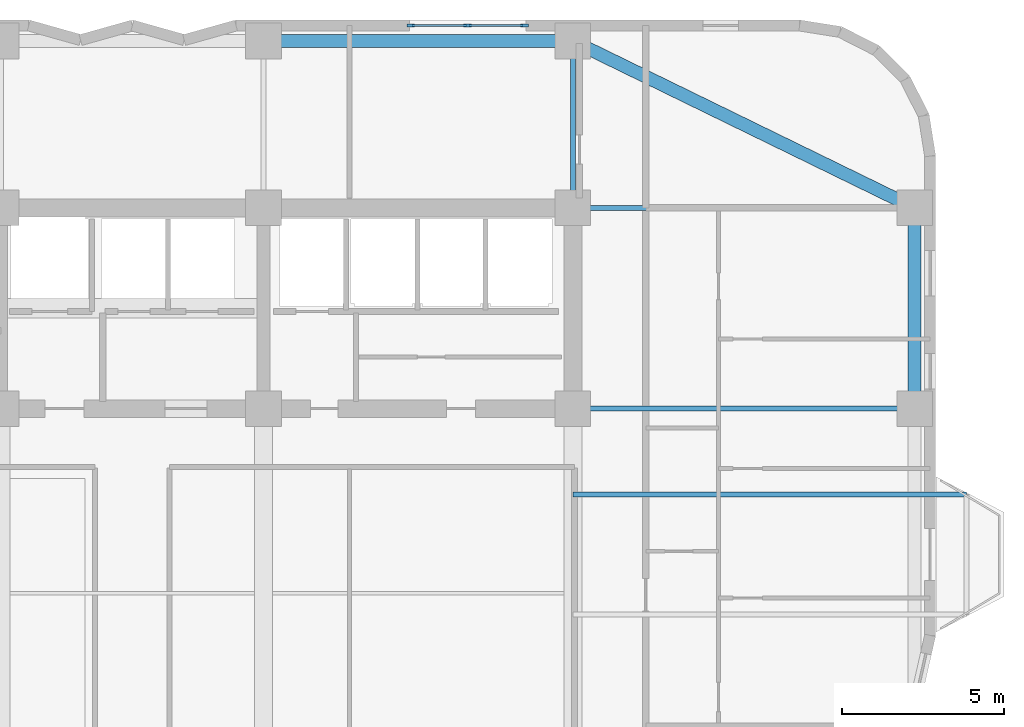
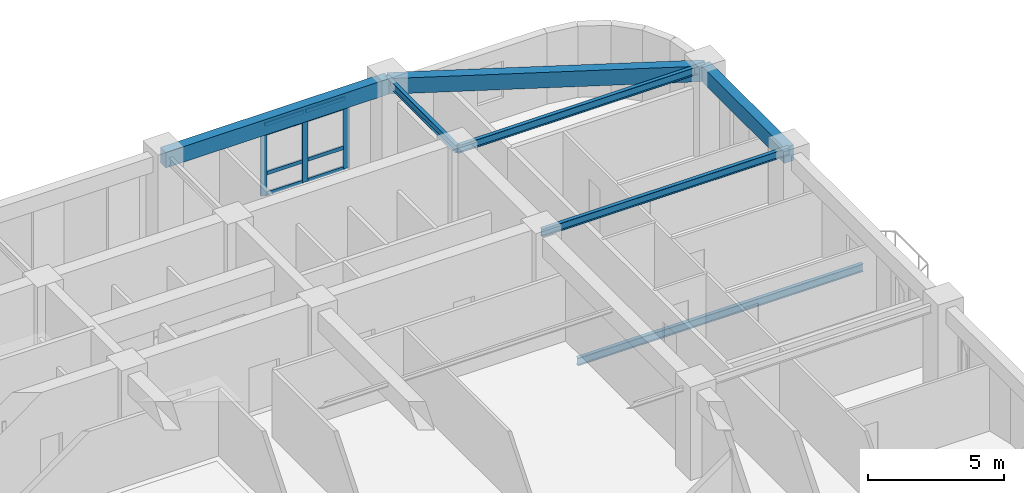
# One storey, part 5 of 15: 11 members, 7 beams, 1 element without a shape of its own.
"""IFC4 building model written with IfcOpenShell, lengths in metres."""

from ifc_helpers import new_model, si_unit, direction, frame, origin, origin_2d, place, context, subcontext, project, spatial, rectangle, i_section, extrude, material, material_profile, profile_set, type_object, element, aggregate, save


model = new_model("IFC4")

# Units and contexts
model_context = context("Model", 3, precision=1e-05, world=origin(), true_north=direction((0.0, 1.0)))
body_context = subcontext(model_context, "Body", "Model", "MODEL_VIEW")
ifc_project = project(units=[si_unit("LENGTHUNIT", "METRE"), si_unit("AREAUNIT", "SQUARE_METRE"), si_unit("VOLUMEUNIT", "CUBIC_METRE"), si_unit("PLANEANGLEUNIT", "RADIAN"), si_unit("MASSUNIT", "GRAM", prefix="KILO")], contexts=[model_context])

# Site, building, storey
site_placement = place(None, origin())
site = spatial("IfcSite", under=ifc_project, at=site_placement, CompositionType="ELEMENT")
building_placement = place(site_placement, origin())
building = spatial("IfcBuilding", under=site, at=building_placement, Name="Svetorya Sky Lyceum", CompositionType="ELEMENT")
storey_placement = place(building_placement, frame((0.0, 0.0, 84.10009765625)))
storey = spatial("IfcBuildingStorey", under=building, at=storey_placement, Name="L20", CompositionType="ELEMENT", Elevation=84.10009765625)

# Beams
ifc_material_1 = material(Name="Concrete C50/60", Category="concrete")
ifc_material_profile_1 = material_profile(ifc_material_1, rectangle(XDim=0.39990234375, YDim=0.699951171875, at=origin_2d()), Name="RC SPANDREL 400x700")
ifc_profile_set_1 = profile_set([ifc_material_profile_1], Name="Concrete C50/60")
beam_type_1 = type_object("IfcBeamType", Name="BM-SPN-700", PredefinedType="SPANDREL", material=ifc_profile_set_1)
beam_1_placement = place(storey_placement, frame((43.25, 50.949951171875, 3.56982421875), z_axis=(1.0, 0.0, 0.0), x_axis=(0.0, 1.0, 0.0)))
element("IfcBeam", 1, at=beam_1_placement, inside=storey, type_object=beam_type_1, Name="L20 North Spandrel 3", PredefinedType="SPANDREL", context=body_context, shape_type="SweptSolid", body=[
    extrude(rectangle(XDim=0.39990234375, YDim=0.699951171875, at=origin_2d()), origin(), (0.0, 0.0, 1.0), 9.550048828125),
])
beam_2_placement = place(storey_placement, frame((63.35009765625, 45.800048828125, 3.56982421875), z_axis=(-0.898649693653, 0.438666989978, 0.0), x_axis=(-0.438666989978, -0.898649693653, 0.0)))
element("IfcBeam", 2, at=beam_2_placement, inside=storey, type_object=beam_type_1, Name="L20 Corner Spandrel 3", PredefinedType="SPANDREL", context=body_context, shape_type="SweptSolid", body=[
    extrude(rectangle(XDim=0.39990234375, YDim=0.699951171875, at=origin_2d()), origin(), (0.0, 0.0, 1.0), 11.739990234375),
])
beam_3_placement = place(storey_placement, frame((63.35009765625, 39.60009765625, 3.56982421875), z_axis=(0.0, 1.0, 0.0), x_axis=(-1.0, 0.0, 0.0)))
element("IfcBeam", 3, at=beam_3_placement, inside=storey, type_object=beam_type_1, Name="L20 East Spandrel 4", PredefinedType="SPANDREL", context=body_context, shape_type="SweptSolid", body=[
    extrude(rectangle(XDim=0.39990234375, YDim=0.699951171875, at=origin_2d()), origin(), (0.0, 0.0, 1.0), 6.199951171875),
])
ifc_material_2 = material(Name="Steel S355", Category="steel")
ifc_material_profile_2 = material_profile(ifc_material_2, i_section(OverallWidth=0.155029296875, OverallDepth=0.34912109375, WebThickness=0.007080078125, FlangeThickness=0.011474609375, at=origin_2d()), Name="GOST 35B2")
ifc_profile_set_2 = profile_set([ifc_material_profile_2], Name="Steel S355")
beam_type_2 = type_object("IfcBeamType", Name="BM-STL-35B2", PredefinedType="JOIST", material=ifc_profile_set_2)
beam_4_placement = place(storey_placement, frame((52.800048828125, 36.949951171875, -0.45458984375), z_axis=(1.0, 0.0, 0.0), x_axis=(0.0, 1.0, 0.0)))
element("IfcBeam", 4, at=beam_4_placement, inside=storey, type_object=beam_type_2, Name="L20 Balcony Cantilever Beam BAL-E1-2", PredefinedType="JOIST", context=body_context, shape_type="SweptSolid", body=[
    extrude(i_section(OverallWidth=0.155029296875, OverallDepth=0.34912109375, WebThickness=0.007080078125, FlangeThickness=0.011474609375, at=origin_2d()), origin(), (0.0, 0.0, 1.0), 12.14990234375),
])
for number, where, z_axis, x_axis, name in (
    (5, (52.800048828125, 39.60009765625, 3.745361328125), (1.0, 0.0, 0.0), (0.0, 1.0, 0.0), "L20 East Wing Floor Joist E4"),
    (6, (52.800048828125, 45.800048828125, 3.745361328125), (1.0, 0.0, 0.0), (0.0, 1.0, 0.0), "L20 East Wing Floor Joist E5"),
):
    element("IfcBeam", number, at=place(storey_placement, frame(where, z_axis=z_axis, x_axis=x_axis)), inside=storey, type_object=beam_type_2, Name=name, PredefinedType="JOIST", context=body_context, shape_type="SweptSolid", body=[
        extrude(i_section(OverallWidth=0.155029296875, OverallDepth=0.34912109375, WebThickness=0.007080078125, FlangeThickness=0.011474609375, at=origin_2d()), origin(), (0.0, 0.0, 1.0), 10.550048828125),
    ])
beam_5_placement = place(storey_placement, frame((52.800048828125, 45.800048828125, 3.745361328125), z_axis=(0.0, 1.0, 0.0), x_axis=(-1.0, 0.0, 0.0)))
element("IfcBeam", 7, at=beam_5_placement, inside=storey, type_object=beam_type_2, Name="L20 North Bay Floor Girder N4", PredefinedType="JOIST", context=body_context, shape_type="SweptSolid", body=[
    extrude(i_section(OverallWidth=0.155029296875, OverallDepth=0.34912109375, WebThickness=0.007080078125, FlangeThickness=0.011474609375, at=origin_2d()), origin(), (0.0, 0.0, 1.0), 5.14990234375),
])

# Curtain wall, members
ifc_material_3 = material(Name="Thermally broken anodized aluminium and triple low-E glass", Category="aluminium")
curtain_wall_type = type_object("IfcCurtainWallType", Name="CW4-SKY-GALL", PredefinedType="NOTDEFINED", material=ifc_material_3)
curtain_wall_placement = place(storey_placement, origin())
curtain_wall = element("IfcCurtainWall", 8, at=curtain_wall_placement, inside=storey, type_object=curtain_wall_type, Name="L20 Sky-Lobby Panorama Curtain Wall 29", PredefinedType="NOTDEFINED")
ifc_material_4 = material(Name="Thermally broken anodized aluminium EN AW-6060", Category="aluminium")
ifc_material_profile_3 = material_profile(ifc_material_4, rectangle(XDim=0.0849609375, YDim=0.239990234375, at=origin_2d()), Name="ALU MULLION 85x240")
ifc_profile_set_3 = profile_set([ifc_material_profile_3], Name="Thermally broken anodized aluminium EN AW-6060")
member_type_1 = type_object("IfcMemberType", Name="CWM-MUL-240", PredefinedType="MULLION", material=ifc_profile_set_3)
member_1_placement = place(storey_placement, frame((51.3076171875, 51.429931640625, 0.0), z_axis=(0.0, 0.0, 1.0), x_axis=(0.0, -1.0, 0.0)))
member_1 = element("IfcMember", 9, at=member_1_placement, type_object=member_type_1, Name="CW-4 mullion 1", PredefinedType="MULLION", context=body_context, shape_type="SweptSolid", body=[
    extrude(rectangle(XDim=0.0849609375, YDim=0.239990234375, at=origin_2d()), origin(), (0.0, 0.0, 1.0), 3.199951171875),
])
member_2_placement = place(storey_placement, frame((49.550048828125, 51.429931640625, 0.0), z_axis=(0.0, 0.0, 1.0), x_axis=(0.0, -1.0, 0.0)))
member_2 = element("IfcMember", 10, at=member_2_placement, type_object=member_type_1, Name="CW-4 mullion 2", PredefinedType="MULLION", context=body_context, shape_type="SweptSolid", body=[
    extrude(rectangle(XDim=0.0849609375, YDim=0.239990234375, at=origin_2d()), origin(), (0.0, 0.0, 1.0), 3.199951171875),
])
member_3_placement = place(storey_placement, frame((47.79248046875, 51.429931640625, 0.0), z_axis=(0.0, 0.0, 1.0), x_axis=(0.0, -1.0, 0.0)))
member_3 = element("IfcMember", 11, at=member_3_placement, type_object=member_type_1, Name="CW-4 mullion 3", PredefinedType="MULLION", context=body_context, shape_type="SweptSolid", body=[
    extrude(rectangle(XDim=0.0849609375, YDim=0.239990234375, at=origin_2d()), origin(), (0.0, 0.0, 1.0), 3.199951171875),
])
ifc_material_profile_4 = material_profile(ifc_material_4, rectangle(XDim=0.074951171875, YDim=0.159912109375, at=origin_2d()), Name="ALU TRANSOM 75x160")
ifc_profile_set_4 = profile_set([ifc_material_profile_4], Name="Thermally broken anodized aluminium EN AW-6060")
member_type_2 = type_object("IfcMemberType", Name="CWM-TRN-160", PredefinedType="USERDEFINED", material=ifc_profile_set_4)
member_4_placement = place(storey_placement, frame((51.2666015625, 51.429931640625, 0.037353515625), z_axis=(-1.0, 0.0, 0.0), x_axis=(0.0, -1.0, 0.0)))
member_4 = element("IfcMember", 12, at=member_4_placement, type_object=member_type_2, Name="CW-4 transom 1.1", ObjectType="TRANSOM", PredefinedType="USERDEFINED", context=body_context, shape_type="SweptSolid", body=[
    extrude(rectangle(XDim=0.074951171875, YDim=0.159912109375, at=origin_2d()), origin(), (0.0, 0.0, 1.0), 1.675537109375),
])
member_5_placement = place(storey_placement, frame((51.2666015625, 51.429931640625, 0.9599609375), z_axis=(-1.0, 0.0, 0.0), x_axis=(0.0, -1.0, 0.0)))
member_5 = element("IfcMember", 13, at=member_5_placement, type_object=member_type_2, Name="CW-4 transom 1.2", ObjectType="TRANSOM", PredefinedType="USERDEFINED", context=body_context, shape_type="SweptSolid", body=[
    extrude(rectangle(XDim=0.074951171875, YDim=0.159912109375, at=origin_2d()), origin(), (0.0, 0.0, 1.0), 1.675537109375),
])
member_6_placement = place(storey_placement, frame((51.2666015625, 51.429931640625, 2.75), z_axis=(-1.0, 0.0, 0.0), x_axis=(0.0, -1.0, 0.0)))
member_6 = element("IfcMember", 14, at=member_6_placement, type_object=member_type_2, Name="CW-4 transom 1.3", ObjectType="TRANSOM", PredefinedType="USERDEFINED", context=body_context, shape_type="SweptSolid", body=[
    extrude(rectangle(XDim=0.074951171875, YDim=0.159912109375, at=origin_2d()), origin(), (0.0, 0.0, 1.0), 1.675537109375),
])
member_7_placement = place(storey_placement, frame((51.2666015625, 51.429931640625, 3.162353515625), z_axis=(-1.0, 0.0, 0.0), x_axis=(0.0, -1.0, 0.0)))
member_7 = element("IfcMember", 15, at=member_7_placement, type_object=member_type_2, Name="CW-4 transom 1.4", ObjectType="TRANSOM", PredefinedType="USERDEFINED", context=body_context, shape_type="SweptSolid", body=[
    extrude(rectangle(XDim=0.074951171875, YDim=0.159912109375, at=origin_2d()), origin(), (0.0, 0.0, 1.0), 1.675537109375),
])
member_8_placement = place(storey_placement, frame((49.509033203125, 51.429931640625, 0.037353515625), z_axis=(-1.0, 0.0, 0.0), x_axis=(0.0, -1.0, 0.0)))
member_8 = element("IfcMember", 16, at=member_8_placement, type_object=member_type_2, Name="CW-4 transom 2.1", ObjectType="TRANSOM", PredefinedType="USERDEFINED", context=body_context, shape_type="SweptSolid", body=[
    extrude(rectangle(XDim=0.074951171875, YDim=0.159912109375, at=origin_2d()), origin(), (0.0, 0.0, 1.0), 1.675537109375),
])
member_9_placement = place(storey_placement, frame((49.509033203125, 51.429931640625, 0.9599609375), z_axis=(-1.0, 0.0, 0.0), x_axis=(0.0, -1.0, 0.0)))
member_9 = element("IfcMember", 17, at=member_9_placement, type_object=member_type_2, Name="CW-4 transom 2.2", ObjectType="TRANSOM", PredefinedType="USERDEFINED", context=body_context, shape_type="SweptSolid", body=[
    extrude(rectangle(XDim=0.074951171875, YDim=0.159912109375, at=origin_2d()), origin(), (0.0, 0.0, 1.0), 1.675537109375),
])
member_10_placement = place(storey_placement, frame((49.509033203125, 51.429931640625, 2.75), z_axis=(-1.0, 0.0, 0.0), x_axis=(0.0, -1.0, 0.0)))
member_10 = element("IfcMember", 18, at=member_10_placement, type_object=member_type_2, Name="CW-4 transom 2.3", ObjectType="TRANSOM", PredefinedType="USERDEFINED", context=body_context, shape_type="SweptSolid", body=[
    extrude(rectangle(XDim=0.074951171875, YDim=0.159912109375, at=origin_2d()), origin(), (0.0, 0.0, 1.0), 1.675537109375),
])
member_11_placement = place(storey_placement, frame((49.509033203125, 51.429931640625, 3.162353515625), z_axis=(-1.0, 0.0, 0.0), x_axis=(0.0, -1.0, 0.0)))
member_11 = element("IfcMember", 19, at=member_11_placement, type_object=member_type_2, Name="CW-4 transom 2.4", ObjectType="TRANSOM", PredefinedType="USERDEFINED", context=body_context, shape_type="SweptSolid", body=[
    extrude(rectangle(XDim=0.074951171875, YDim=0.159912109375, at=origin_2d()), origin(), (0.0, 0.0, 1.0), 1.675537109375),
])
aggregate(curtain_wall, [member_1, member_2, member_3, member_4, member_5, member_6, member_7, member_8, member_9, member_10, member_11])

save(model, "model.ifc")
